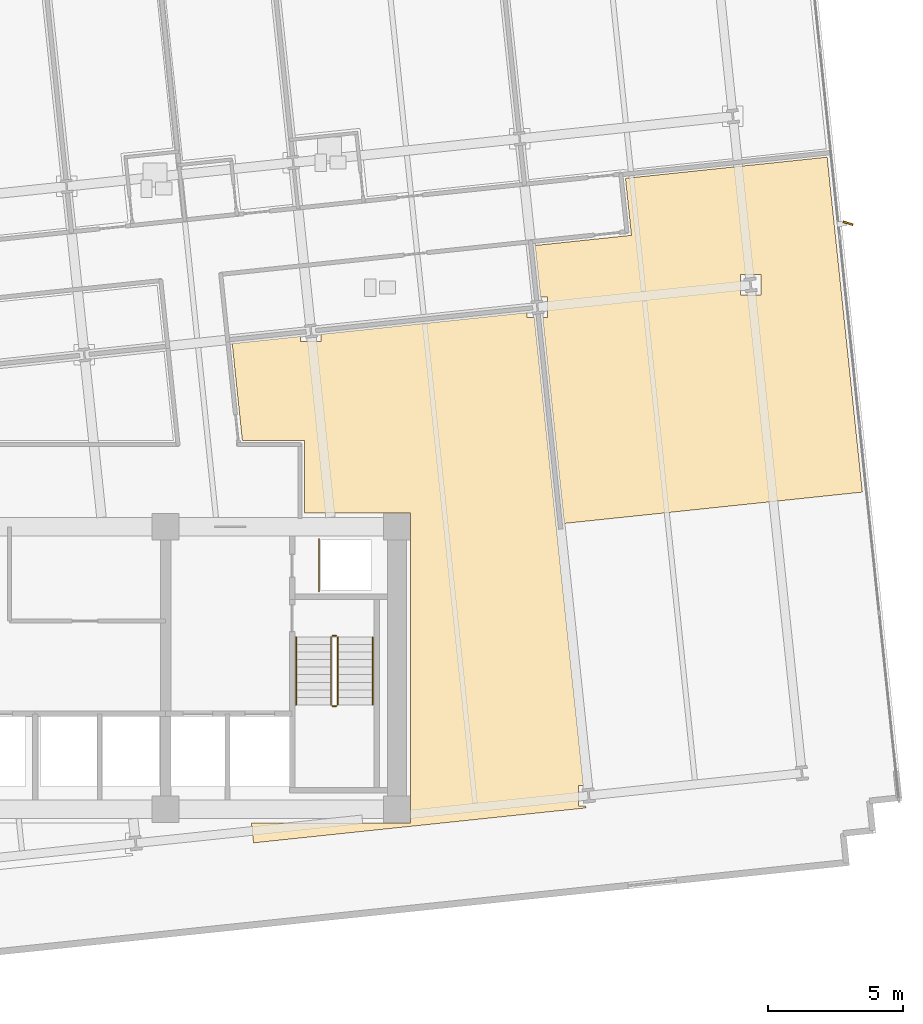
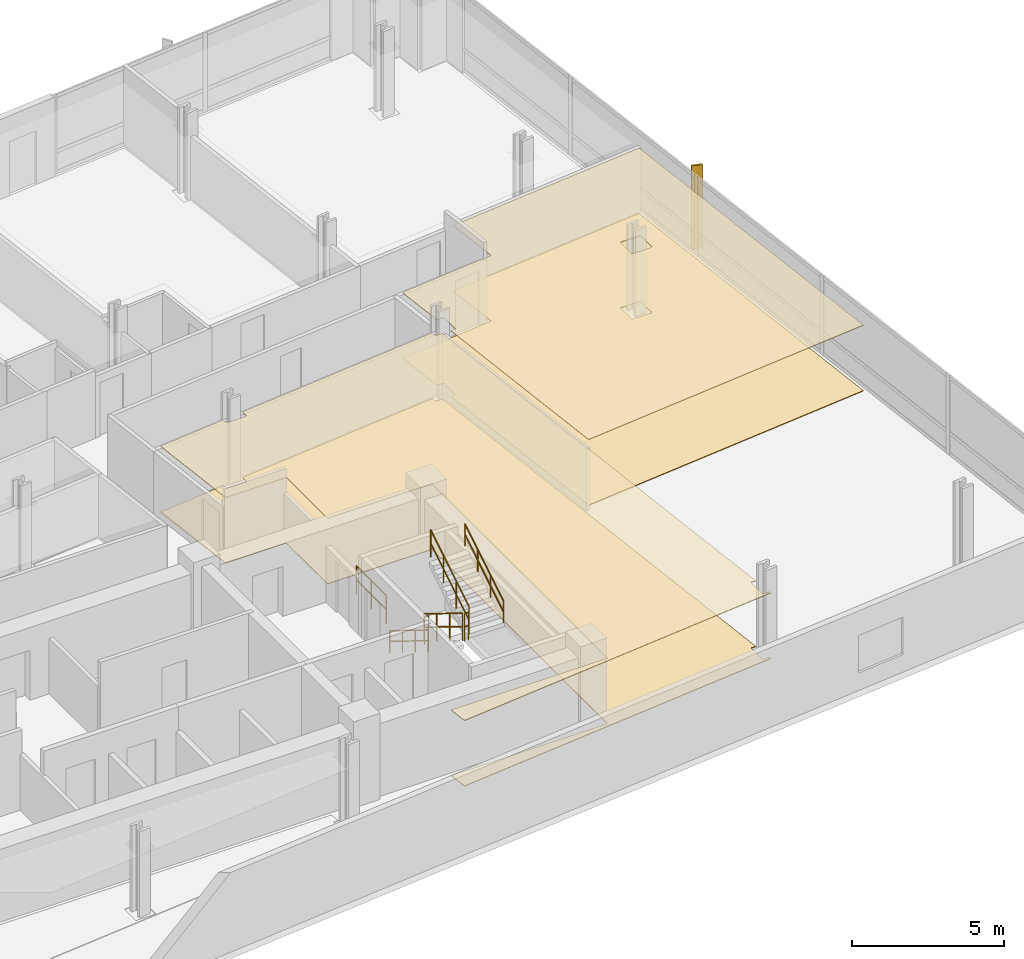
# One storey, part 15 of 18: 7 railings, 4 coverings, 1 shading device.
"""IFC4 building model written with IfcOpenShell, lengths in metres."""

from ifc_helpers import new_model, si_unit, direction, frame, origin, origin_2d, place, context, subcontext, project, spatial, polyline, rectangle, circle, outline, extrude, material, layer, layer_set, type_object, element, save


model = new_model("IFC4")

# Units and contexts
model_context = context("Model", 3, precision=1e-05, world=origin(), true_north=direction((0.0, 1.0)))
body_context = subcontext(model_context, "Body", "Model", "MODEL_VIEW")
ifc_project = project(units=[si_unit("LENGTHUNIT", "METRE"), si_unit("AREAUNIT", "SQUARE_METRE"), si_unit("VOLUMEUNIT", "CUBIC_METRE"), si_unit("PLANEANGLEUNIT", "RADIAN"), si_unit("MASSUNIT", "GRAM", prefix="KILO")], contexts=[model_context])

# Site, building, storey
site_placement = place(None, origin())
site = spatial("IfcSite", under=ifc_project, at=site_placement, CompositionType="ELEMENT")
building_placement = place(site_placement, origin())
building = spatial("IfcBuilding", under=site, at=building_placement, Name="Solmavex Isthmus Hotel", CompositionType="ELEMENT")
storey_placement = place(building_placement, frame((0.0, 0.0, 120.14990234375)))
storey = spatial("IfcBuildingStorey", under=building, at=storey_placement, Name="L32", CompositionType="ELEMENT", Elevation=120.14990234375)

# Coverings
ifc_material_1 = material(Name="Gypsum plasterboard lining", Category="gypsum")
ifc_layer_1 = layer(ifc_material_1, 0.030029296875)
ifc_layer_set_1 = layer_set([ifc_layer_1], Name="Gypsum plasterboard lining")
covering_type_1 = type_object("IfcCoveringType", Name="COV-CEIL-GYP", PredefinedType="CEILING", material=ifc_layer_set_1)
covering_1_placement = place(storey_placement, frame((0.0, 0.0, 2.6201171875)))
element("IfcCovering", 1, at=covering_1_placement, inside=storey, type_object=covering_type_1, Name="Suspended Acoustic Ceiling L32-FL14", PredefinedType="CEILING", context=body_context, shape_type="SweptSolid", body=[
    extrude(outline(polyline([(21.335693359375, 6.038330078125), (21.599609375, 6.038330078125), (21.599609375, 5.2783203125), (21.41552734375, 5.2783203125), (22.219970703125, -2.3759765625), (33.297119140625, -1.2119140625), (32.450927734375, 6.8388671875), (31.98828125, 11.239501953125), (24.49169921875, 10.45166015625), (24.71435546875, 8.333251953125), (21.134033203125, 7.95703125), (21.335693359375, 6.038330078125)]), holes=[polyline([(28.76416015625, 6.111328125), (28.76416015625, 6.871337890625), (29.524169921875, 6.871337890625), (29.524169921875, 6.111328125), (28.76416015625, 6.111328125)])]), origin(), (0.0, 0.0, 1.0), 0.030029296875),
])
covering_2_placement = place(storey_placement, frame((0.0, 0.0, 2.6201171875)))
element("IfcCovering", 2, at=covering_2_placement, inside=storey, type_object=covering_type_1, Name="Suspended Acoustic Ceiling L32-FL15", PredefinedType="CEILING", context=body_context, shape_type="SweptSolid", body=[
    extrude(outline(polyline([(13.18017578125, 4.657470703125), (13.18017578125, 4.393310546875), (12.420166015625, 4.393310546875), (12.420166015625, 4.57763671875), (9.87451171875, 4.31005859375), (10.25341796875, 0.705078125), (12.554931640625, 0.705078125), (12.554931640625, -1.9951171875), (16.5048828125, -1.9951171875), (16.5048828125, -13.5048828125), (10.587646484375, -13.5048828125), (10.665771484375, -14.248779296875), (23.019775390625, -12.950439453125), (23.011474609375, -12.87158203125), (22.747314453125, -12.87158203125), (22.747314453125, -12.111572265625), (22.931640625, -12.111572265625), (21.103759765625, 5.2783203125), (20.83984375, 5.2783203125), (20.83984375, 5.462646484375), (13.18017578125, 4.657470703125)])), origin(), (0.0, 0.0, 1.0), 0.030029296875),
])
ifc_material_2 = material(Name="Travertine natural stone", Category="masonry")
ifc_layer_2 = layer(ifc_material_2, 0.02490234375)
ifc_layer_set_2 = layer_set([ifc_layer_2], Name="Travertine natural stone")
covering_type_2 = type_object("IfcCoveringType", Name="COV-FLOR-STN", PredefinedType="FLOORING", material=ifc_layer_set_2)
covering_3_placement = place(storey_placement, origin())
element("IfcCovering", 3, at=covering_3_placement, inside=storey, type_object=covering_type_2, Name="Stone and Timber Floor Finish L32-FL14", PredefinedType="FLOORING", context=body_context, shape_type="SweptSolid", body=[
    extrude(outline(polyline([(21.335693359375, 6.038330078125), (21.599609375, 6.038330078125), (21.599609375, 5.2783203125), (21.41552734375, 5.2783203125), (22.219970703125, -2.3759765625), (33.297119140625, -1.2119140625), (32.450927734375, 6.8388671875), (31.98828125, 11.239501953125), (24.49169921875, 10.45166015625), (24.71435546875, 8.333251953125), (21.134033203125, 7.95703125), (21.335693359375, 6.038330078125)]), holes=[polyline([(28.76416015625, 6.111328125), (28.76416015625, 6.871337890625), (29.524169921875, 6.871337890625), (29.524169921875, 6.111328125), (28.76416015625, 6.111328125)])]), origin(), (0.0, 0.0, 1.0), 0.025146484375),
])
covering_4_placement = place(storey_placement, origin())
element("IfcCovering", 4, at=covering_4_placement, inside=storey, type_object=covering_type_2, Name="Stone and Timber Floor Finish L32-FL15", PredefinedType="FLOORING", context=body_context, shape_type="SweptSolid", body=[
    extrude(outline(polyline([(13.18017578125, 4.657470703125), (13.18017578125, 4.393310546875), (12.420166015625, 4.393310546875), (12.420166015625, 4.57763671875), (9.87451171875, 4.31005859375), (10.25341796875, 0.705078125), (12.554931640625, 0.705078125), (12.554931640625, -1.9951171875), (16.5048828125, -1.9951171875), (16.5048828125, -13.5048828125), (10.587646484375, -13.5048828125), (10.665771484375, -14.248779296875), (23.019775390625, -12.950439453125), (23.011474609375, -12.87158203125), (22.747314453125, -12.87158203125), (22.747314453125, -12.111572265625), (22.931640625, -12.111572265625), (21.103759765625, 5.2783203125), (20.83984375, 5.2783203125), (20.83984375, 5.462646484375), (13.18017578125, 4.657470703125)])), origin(), (0.0, 0.0, 1.0), 0.025146484375),
])

# Railings
ifc_material_3 = material(Name="Clear low-E laminated glass", Category="glass")
ifc_layer_3 = layer(ifc_material_3, 0.080078125)
ifc_layer_set_3 = layer_set([ifc_layer_3], Name="Clear low-E laminated glass")
railing_type_1 = type_object("IfcRailingType", Name="RAIL-ATRIUM-1120", PredefinedType="BALUSTRADE", material=ifc_layer_set_3)
railing_1_placement = place(storey_placement, frame((13.10009765625, -4.89990234375, 0.0)))
element("IfcRailing", 5, at=railing_1_placement, inside=storey, type_object=railing_type_1, Name="Guardrail Balustrade L32-RSE-01", PredefinedType="BALUSTRADE", context=body_context, shape_type="SweptSolid", body=[
    extrude(circle(Radius=0.02392578125, at=origin_2d()), frame((0.0, 0.0, 1.1259765625), z_axis=(0.0, 1.0, 0.0), x_axis=(-1.0, 0.0, 0.0)), (0.0, 0.0, 1.0), 1.949951171875),
    extrude(circle(Radius=0.02392578125, at=origin_2d()), frame((0.0, 0.0, 0.574951171875), z_axis=(0.0, 1.0, 0.0), x_axis=(-1.0, 0.0, 0.0)), (0.0, 0.0, 1.0), 1.949951171875),
    extrude(circle(Radius=0.02099609375, at=origin_2d()), origin(), (0.0, 0.0, 1.0), 1.101806640625),
    extrude(circle(Radius=0.02099609375, at=origin_2d()), frame((0.0, 0.97509765625, 0.0)), (0.0, 0.0, 1.0), 1.101806640625),
    extrude(circle(Radius=0.02099609375, at=origin_2d()), frame((0.0, 1.949951171875, 0.0)), (0.0, 0.0, 1.0), 1.101806640625),
])
ifc_material_4 = material(Name="Stainless steel 316", Category="steel")
ifc_layer_4 = layer(ifc_material_4, 0.06005859375)
ifc_layer_set_4 = layer_set([ifc_layer_4], Name="Stainless steel 316")
railing_type_2 = type_object("IfcRailingType", Name="RAIL-STAIR-GD", PredefinedType="GUARDRAIL", material=ifc_layer_set_4)
railing_2_placement = place(storey_placement, frame((13.550048828125, -6.60009765625, 0.172607421875)))
element("IfcRailing", 6, at=railing_2_placement, inside=storey, type_object=railing_type_2, Name="L32 ST-2 stair guard 1", PredefinedType="GUARDRAIL", context=body_context, shape_type="SweptSolid", body=[
    extrude(circle(Radius=0.02392578125, at=origin_2d()), frame((0.0, 0.0, 1.09619140625), z_axis=(0.0, -0.851400495292, 0.524516154772), x_axis=(1.0, 0.0, 0.0)), (0.0, 0.0, 1.0), 2.9599609375),
    extrude(circle(Radius=0.02392578125, at=origin_2d()), frame((0.0, 0.0, 0.56005859375), z_axis=(0.0, -0.851400495292, 0.524516154772), x_axis=(1.0, 0.0, 0.0)), (0.0, 0.0, 1.0), 2.9599609375),
    extrude(circle(Radius=0.02099609375, at=origin_2d()), origin(), (0.0, 0.0, 1.0), 1.072021484375),
    extrude(circle(Radius=0.02099609375, at=origin_2d()), frame((0.0, -0.840087890625, 0.517578125)), (0.0, 0.0, 1.0), 1.072021484375),
    extrude(circle(Radius=0.02099609375, at=origin_2d()), frame((0.0, -1.679931640625, 1.034912109375)), (0.0, 0.0, 1.0), 1.072021484375),
    extrude(circle(Radius=0.02099609375, at=origin_2d()), frame((0.0, -2.52001953125, 1.552490234375)), (0.0, 0.0, 1.0), 1.072021484375),
])
railing_3_placement = place(storey_placement, frame((13.60009765625, -9.169921875, 1.72509765625)))
element("IfcRailing", 7, at=railing_3_placement, inside=storey, type_object=railing_type_2, Name="L32 ST-2 stair guard 2", PredefinedType="GUARDRAIL", context=body_context, shape_type="SweptSolid", body=[
    extrude(circle(Radius=0.02392578125, at=origin_2d()), frame((0.0, 0.0, 1.09619140625), z_axis=(1.0, 0.0, 0.0), x_axis=(0.0, 1.0, 0.0)), (0.0, 0.0, 1.0), 0.14990234375),
    extrude(circle(Radius=0.02392578125, at=origin_2d()), frame((0.0, 0.0, 0.56005859375), z_axis=(1.0, 0.0, 0.0), x_axis=(0.0, 1.0, 0.0)), (0.0, 0.0, 1.0), 0.14990234375),
    extrude(circle(Radius=0.02099609375, at=origin_2d()), origin(), (0.0, 0.0, 1.0), 1.072021484375),
    extrude(circle(Radius=0.02099609375, at=origin_2d()), frame((0.14990234375, 0.0, 0.0)), (0.0, 0.0, 1.0), 1.072021484375),
])
railing_4_placement = place(storey_placement, frame((13.800048828125, -9.1201171875, 1.897705078125)))
element("IfcRailing", 8, at=railing_4_placement, inside=storey, type_object=railing_type_2, Name="L32 ST-2 stair guard 3", PredefinedType="GUARDRAIL", context=body_context, shape_type="SweptSolid", body=[
    extrude(circle(Radius=0.02392578125, at=origin_2d()), frame((0.0, 0.0, 1.09619140625), z_axis=(0.0, 0.851400495292, 0.524516154772), x_axis=(-1.0, 0.0, 0.0)), (0.0, 0.0, 1.0), 2.9599609375),
    extrude(circle(Radius=0.02392578125, at=origin_2d()), frame((0.0, 0.0, 0.56005859375), z_axis=(0.0, 0.851400495292, 0.524516154772), x_axis=(-1.0, 0.0, 0.0)), (0.0, 0.0, 1.0), 2.9599609375),
    extrude(circle(Radius=0.02099609375, at=origin_2d()), origin(), (0.0, 0.0, 1.0), 1.072021484375),
    extrude(circle(Radius=0.02099609375, at=origin_2d()), frame((0.0, 0.840087890625, 0.517578125)), (0.0, 0.0, 1.0), 1.072021484375),
    extrude(circle(Radius=0.02099609375, at=origin_2d()), frame((0.0, 1.679931640625, 1.034912109375)), (0.0, 0.0, 1.0), 1.072021484375),
    extrude(circle(Radius=0.02099609375, at=origin_2d()), frame((0.0, 2.52001953125, 1.552490234375)), (0.0, 0.0, 1.0), 1.072021484375),
])
railing_5_placement = place(storey_placement, frame((13.60009765625, -6.550048828125, 0.0)))
element("IfcRailing", 9, at=railing_5_placement, inside=storey, type_object=railing_type_2, Name="L32 ST-2 stair guard 4", PredefinedType="GUARDRAIL", context=body_context, shape_type="SweptSolid", body=[
    extrude(circle(Radius=0.02392578125, at=origin_2d()), frame((0.0, 0.0, 1.09619140625), z_axis=(1.0, 0.0, 0.0), x_axis=(0.0, 1.0, 0.0)), (0.0, 0.0, 1.0), 0.14990234375),
    extrude(circle(Radius=0.02392578125, at=origin_2d()), frame((0.0, 0.0, 0.56005859375), z_axis=(1.0, 0.0, 0.0), x_axis=(0.0, 1.0, 0.0)), (0.0, 0.0, 1.0), 0.14990234375),
    extrude(circle(Radius=0.02099609375, at=origin_2d()), origin(), (0.0, 0.0, 1.0), 1.072021484375),
    extrude(circle(Radius=0.02099609375, at=origin_2d()), frame((0.14990234375, 0.0, 0.0)), (0.0, 0.0, 1.0), 1.072021484375),
])
ifc_layer_5 = layer(ifc_material_4, 0.050048828125)
ifc_layer_set_5 = layer_set([ifc_layer_5], Name="Stainless steel 316")
railing_type_3 = type_object("IfcRailingType", Name="RAIL-STAIR-HR", PredefinedType="HANDRAIL", material=ifc_layer_set_5)
railing_6_placement = place(storey_placement, frame((12.25, -6.60009765625, 0.172607421875)))
element("IfcRailing", 10, at=railing_6_placement, inside=storey, type_object=railing_type_3, Name="L32 ST-2 stair handrail 1", PredefinedType="HANDRAIL", context=body_context, shape_type="SweptSolid", body=[
    extrude(circle(Radius=0.02392578125, at=origin_2d()), frame((0.0, 0.0, 0.8759765625), z_axis=(0.0, -0.851400495292, 0.524516154772), x_axis=(1.0, 0.0, 0.0)), (0.0, 0.0, 1.0), 2.9599609375),
    extrude(circle(Radius=0.02392578125, at=origin_2d()), frame((0.0, 0.0, 0.449951171875), z_axis=(0.0, -0.851400495292, 0.524516154772), x_axis=(1.0, 0.0, 0.0)), (0.0, 0.0, 1.0), 2.9599609375),
    extrude(circle(Radius=0.02099609375, at=origin_2d()), origin(), (0.0, 0.0, 1.0), 0.851806640625),
    extrude(circle(Radius=0.02099609375, at=origin_2d()), frame((0.0, -0.840087890625, 0.517578125)), (0.0, 0.0, 1.0), 0.851806640625),
    extrude(circle(Radius=0.02099609375, at=origin_2d()), frame((0.0, -1.679931640625, 1.034912109375)), (0.0, 0.0, 1.0), 0.851806640625),
    extrude(circle(Radius=0.02099609375, at=origin_2d()), frame((0.0, -2.52001953125, 1.552490234375)), (0.0, 0.0, 1.0), 0.851806640625),
])
railing_7_placement = place(storey_placement, frame((15.10009765625, -9.1201171875, 1.897705078125)))
element("IfcRailing", 11, at=railing_7_placement, inside=storey, type_object=railing_type_3, Name="L32 ST-2 stair handrail 2", PredefinedType="HANDRAIL", context=body_context, shape_type="SweptSolid", body=[
    extrude(circle(Radius=0.02392578125, at=origin_2d()), frame((0.0, 0.0, 0.8759765625), z_axis=(0.0, 0.851400495292, 0.524516154772), x_axis=(-1.0, 0.0, 0.0)), (0.0, 0.0, 1.0), 2.9599609375),
    extrude(circle(Radius=0.02392578125, at=origin_2d()), frame((0.0, 0.0, 0.449951171875), z_axis=(0.0, 0.851400495292, 0.524516154772), x_axis=(-1.0, 0.0, 0.0)), (0.0, 0.0, 1.0), 2.9599609375),
    extrude(circle(Radius=0.02099609375, at=origin_2d()), origin(), (0.0, 0.0, 1.0), 0.851806640625),
    extrude(circle(Radius=0.02099609375, at=origin_2d()), frame((0.0, 0.840087890625, 0.517578125)), (0.0, 0.0, 1.0), 0.851806640625),
    extrude(circle(Radius=0.02099609375, at=origin_2d()), frame((0.0, 1.679931640625, 1.034912109375)), (0.0, 0.0, 1.0), 0.851806640625),
    extrude(circle(Radius=0.02099609375, at=origin_2d()), frame((0.0, 2.52001953125, 1.552490234375)), (0.0, 0.0, 1.0), 0.851806640625),
])

# Shading device
ifc_material_5 = material(Name="Aluminium alloy 6063-T6", Category="aluminium")
shading_device_type = type_object("IfcShadingDeviceType", Name="SHD-FIN-CHAMP", PredefinedType="USERDEFINED", material=ifc_material_5)
shading_device_placement = place(storey_placement, frame((32.764404296875, 8.7822265625, -0.139892578125), z_axis=(0.0, 0.0, 1.0), x_axis=(0.951056516295, -0.309016994375, 0.0)))
element("IfcShadingDevice", 12, at=shading_device_placement, inside=storey, type_object=shading_device_type, Name="Anodised Aluminium Solar Fin L32-E1", ObjectType="SOLAR_FIN", PredefinedType="USERDEFINED", context=body_context, shape_type="SweptSolid", body=[
    extrude(rectangle(XDim=0.3798828125, YDim=0.070068359375, at=origin_2d()), origin(), (0.0, 0.0, 1.0), 3.330078125),
])

save(model, "model.ifc")
